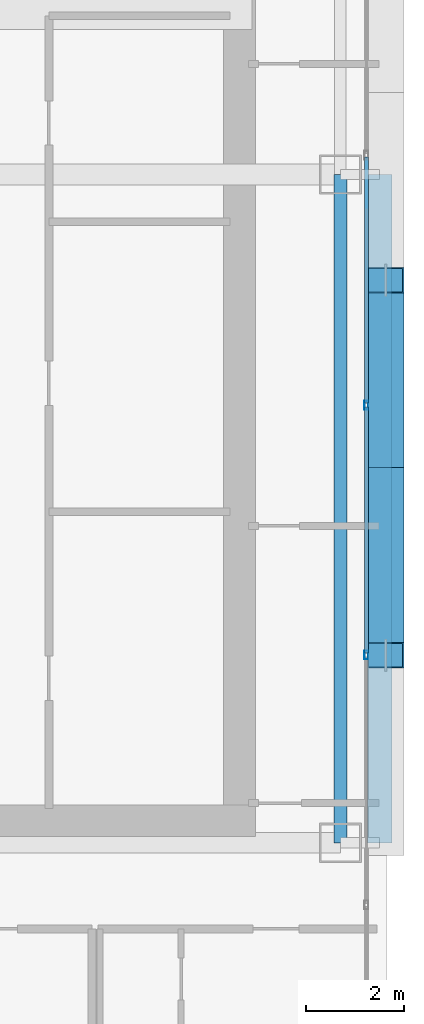
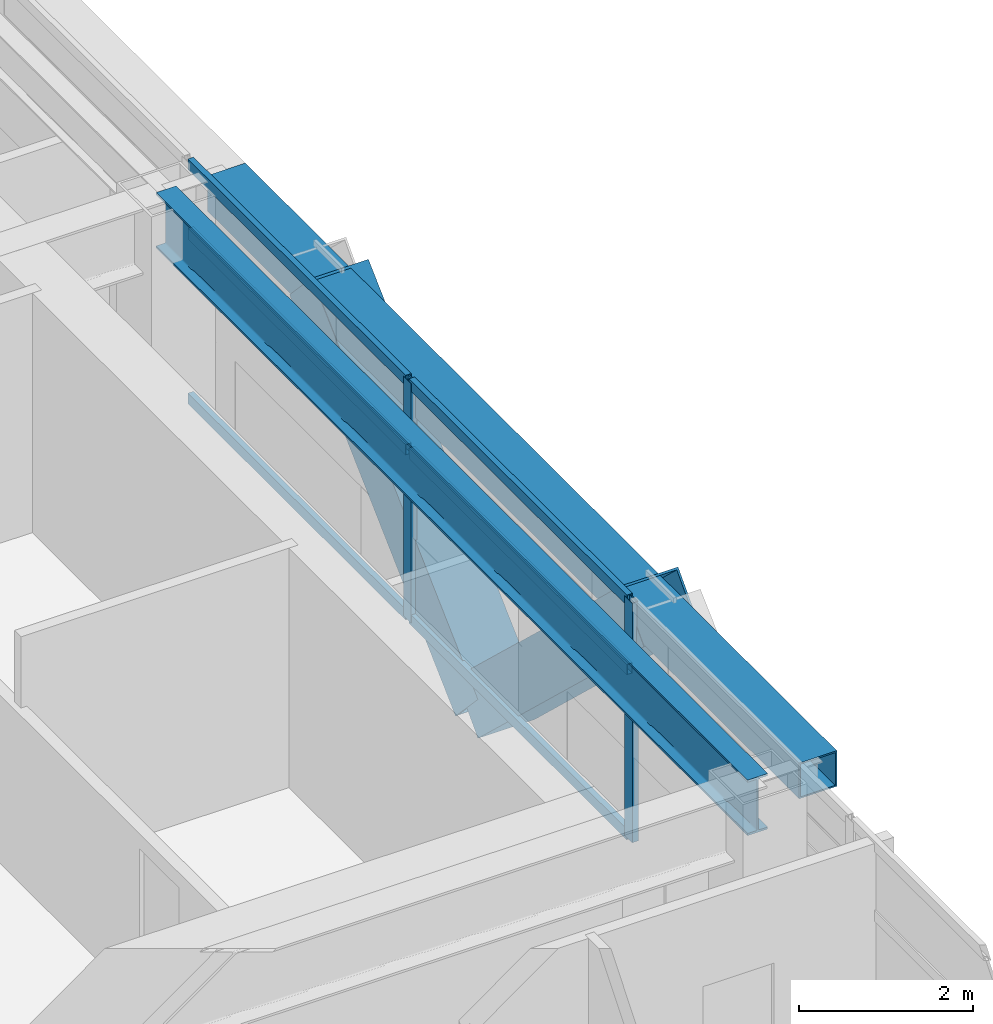
# One storey, part 13 of 35: 10 members, 2 beams, 1 element without a shape of its own.
"""IFC4 building model written with IfcOpenShell, lengths in metres."""

from ifc_helpers import new_model, si_unit, direction, frame, origin, origin_2d, place, context, subcontext, project, spatial, hollow_rectangle, i_section, extrude, source, transform, mapped, material, layer, layer_set, material_profile, profile_set, type_object, element, aggregate, save


model = new_model("IFC4")

# Units and contexts
model_context = context("Model", 3, precision=1e-05, world=origin(), true_north=direction((0.0, 1.0)))
body_context = subcontext(model_context, "Body", "Model", "MODEL_VIEW")
ifc_project = project(units=[si_unit("LENGTHUNIT", "METRE"), si_unit("AREAUNIT", "SQUARE_METRE"), si_unit("VOLUMEUNIT", "CUBIC_METRE"), si_unit("PLANEANGLEUNIT", "RADIAN"), si_unit("MASSUNIT", "GRAM", prefix="KILO")], contexts=[model_context])

# Site, building, storey
site_placement = place(None, origin())
site = spatial("IfcSite", under=ifc_project, at=site_placement, CompositionType="ELEMENT")
building_placement = place(site_placement, origin())
building = spatial("IfcBuilding", under=site, at=building_placement, Name="Ocotamira Hotel", CompositionType="ELEMENT")
storey_placement = place(building_placement, frame((0.0, 0.0, 118.800048828125)))
storey = spatial("IfcBuildingStorey", under=building, at=storey_placement, Name="L29", CompositionType="ELEMENT", Elevation=118.800048828125)

# Beams
ifc_material_1 = material(Name="Steel ASTM A992 Grade 50", Category="steel")
ifc_material_profile_1 = material_profile(ifc_material_1, i_section(OverallWidth=0.26611328125, OverallDepth=0.779052734375, WebThickness=0.0166015625, FlangeThickness=0.030029296875, FilletRadius=0.01806640625, at=origin_2d()), Name="W30X148")
ifc_profile_set_1 = profile_set([ifc_material_profile_1], Name="Steel ASTM A992 Grade 50")
beam_type_1 = type_object("IfcBeamType", Name="BM-GIRD-W30X148", PredefinedType="BEAM", material=ifc_profile_set_1)
shared_shape_1 = source(origin(), body_context, "Body", "SweptSolid", [
    extrude(i_section(OverallWidth=0.26611328125, OverallDepth=0.779052734375, WebThickness=0.0166015625, FlangeThickness=0.030029296875, FilletRadius=0.01806640625, at=origin_2d()), origin(), (0.0, 0.0, 1.0), 13.599853515625),
])
beam_1_placement = place(storey_placement, frame((55.050048828125, 14.550048828125, 2.970458984375), z_axis=(0.0, 1.0, 0.0), x_axis=(-1.0, 0.0, 0.0)))
element("IfcBeam", 1, at=beam_1_placement, inside=storey, type_object=beam_type_1, Name="L29 Beam X55.05 Y14.55-28.15", PredefinedType="BEAM", context=body_context, shape_type="MappedRepresentation", body=[
    mapped(shared_shape_1, transform((0.0, 0.0, 0.0), scale=1.0)),
])
ifc_material_2 = material(Name="Steel ASTM A500 Grade C", Category="steel")
ifc_material_profile_2 = material_profile(ifc_material_2, hollow_rectangle(XDim=0.5, YDim=0.5, WallThickness=0.02001953125, at=origin_2d()), Name="HSS500X500X20")
ifc_profile_set_2 = profile_set([ifc_material_profile_2], Name="Steel ASTM A500 Grade C")
beam_type_2 = type_object("IfcBeamType", Name="BM-SPAN-HSS500", PredefinedType="USERDEFINED", material=ifc_profile_set_2)
shared_shape_2 = source(origin(), body_context, "Body", "SweptSolid", [
    extrude(hollow_rectangle(XDim=0.5, YDim=0.5, WallThickness=0.02001953125, at=origin_2d()), origin(), (0.0, 0.0, 1.0), 13.599853515625),
])
beam_2_placement = place(storey_placement, frame((55.85009765625, 14.550048828125, 3.10986328125), z_axis=(0.0, 1.0, 0.0), x_axis=(-1.0, 0.0, 0.0)))
element("IfcBeam", 2, at=beam_2_placement, inside=storey, type_object=beam_type_2, Name="L29 Edge Spandrel E Y14.55-28.15", ObjectType="SPANDREL", PredefinedType="USERDEFINED", context=body_context, shape_type="MappedRepresentation", body=[
    mapped(shared_shape_2, transform((0.0, 0.0, 0.0), scale=1.0)),
])

# Members
ifc_material_3 = material(Name="Pale-metal coated steel ASTM A913 Grade 65", Category="steel")
ifc_material_profile_3 = material_profile(ifc_material_3, hollow_rectangle(XDim=0.75, YDim=0.75, WallThickness=0.028076171875, at=origin_2d()), Name="BOX750X750X28")
ifc_profile_set_3 = profile_set([ifc_material_profile_3], Name="Pale-metal coated steel ASTM A913 Grade 65")
member_type_1 = type_object("IfcMemberType", Name="MEM-EXO-BOX750", PredefinedType="BRACE", material=ifc_profile_set_3)
shared_shape_3 = source(origin(), body_context, "Body", "SweptSolid", [
    extrude(hollow_rectangle(XDim=0.75, YDim=0.75, WallThickness=0.028076171875, at=origin_2d()), origin(), (0.0, 0.0, 1.0), 5.24658203125),
])
for number, where, z_axis, x_axis, name in (
    (3, (55.969970703125, 22.183349609375, -0.489990234375), (0.0, -0.72746596067, 0.686143772154), (1.0, 0.0, 0.0), "L29 Exoskeleton Diagrid E0.2"),
    (4, (55.969970703125, 22.183349609375, -0.489990234375), (0.0, 0.72746596067, 0.686143772154), (-1.0, 0.0, 0.0), "L29 Exoskeleton Diagrid E1.1"),
):
    element("IfcMember", number, at=place(storey_placement, frame(where, z_axis=z_axis, x_axis=x_axis)), inside=storey, type_object=member_type_1, Name=name, PredefinedType="BRACE", context=body_context, shape_type="MappedRepresentation", body=[
        mapped(shared_shape_3, transform((0.0, 0.0, 0.0), scale=1.0)),
    ])

# Curtain wall, members
ifc_material_4 = material(Name="Anodised pale-metal aluminium and solar glass", Category="aluminium")
ifc_layer = layer(ifc_material_4, 0.179931640625)
ifc_layer_set = layer_set([ifc_layer], Name="Anodised pale-metal aluminium and solar glass")
curtain_wall_type = type_object("IfcCurtainWallType", Name="CW-SYS3-Z2", PredefinedType="NOTDEFINED", material=ifc_layer_set)
curtain_wall_placement = place(storey_placement, origin())
curtain_wall = element("IfcCurtainWall", 5, at=curtain_wall_placement, inside=storey, type_object=curtain_wall_type, Name="L29 Curtain Wall CW-3 CW-L29-E", PredefinedType="NOTDEFINED")
ifc_material_5 = material(Name="Anodised pale-metal aluminium 6063-T6", Category="aluminium")
ifc_material_profile_4 = material_profile(ifc_material_5, hollow_rectangle(XDim=0.074951171875, YDim=0.14990234375, WallThickness=0.006103515625, at=origin_2d()), Name="HSS150X75X6")
ifc_profile_set_4 = profile_set([ifc_material_profile_4], Name="Anodised pale-metal aluminium 6063-T6")
member_type_2 = type_object("IfcMemberType", Name="CWT-150X75", PredefinedType="USERDEFINED", material=ifc_profile_set_4)
shared_shape_4 = source(origin(), body_context, "Body", "SweptSolid", [
    extrude(hollow_rectangle(XDim=0.074951171875, YDim=0.14990234375, WallThickness=0.006103515625, at=origin_2d()), origin(), (0.0, 0.0, 1.0), 5.005859375),
])
member_1_placement = place(storey_placement, frame((55.580078125, 18.411376953125, 0.037353515625), z_axis=(0.0, 1.0, 0.0), x_axis=(-1.0, 0.0, 0.0)))
member_1 = element("IfcMember", 6, at=member_1_placement, type_object=member_type_2, Name="CW-3 transom 3.1", ObjectType="TRANSOM", PredefinedType="USERDEFINED", context=body_context, shape_type="MappedRepresentation", body=[
    mapped(shared_shape_4, transform((0.0, 0.0, 0.0), scale=1.0)),
])
member_2_placement = place(storey_placement, frame((55.580078125, 18.411376953125, 2.349853515625), z_axis=(0.0, 1.0, 0.0), x_axis=(-1.0, 0.0, 0.0)))
member_2 = element("IfcMember", 7, at=member_2_placement, type_object=member_type_2, Name="CW-3 transom 3.2", ObjectType="TRANSOM", PredefinedType="USERDEFINED", context=body_context, shape_type="MappedRepresentation", body=[
    mapped(shared_shape_4, transform((0.0, 0.0, 0.0), scale=1.0)),
])
member_3_placement = place(storey_placement, frame((55.580078125, 18.411376953125, 3.322509765625), z_axis=(0.0, 1.0, 0.0), x_axis=(-1.0, 0.0, 0.0)))
member_3 = element("IfcMember", 8, at=member_3_placement, type_object=member_type_2, Name="CW-3 transom 3.3", ObjectType="TRANSOM", PredefinedType="USERDEFINED", context=body_context, shape_type="MappedRepresentation", body=[
    mapped(shared_shape_4, transform((0.0, 0.0, 0.0), scale=1.0)),
])
member_4_placement = place(storey_placement, frame((55.580078125, 23.4970703125, 0.037353515625), z_axis=(0.0, 1.0, 0.0), x_axis=(-1.0, 0.0, 0.0)))
member_4 = element("IfcMember", 9, at=member_4_placement, type_object=member_type_2, Name="CW-3 transom 4.1", ObjectType="TRANSOM", PredefinedType="USERDEFINED", context=body_context, shape_type="MappedRepresentation", body=[
    mapped(shared_shape_4, transform((0.0, 0.0, 0.0), scale=1.0)),
])
member_5_placement = place(storey_placement, frame((55.580078125, 23.4970703125, 2.349853515625), z_axis=(0.0, 1.0, 0.0), x_axis=(-1.0, 0.0, 0.0)))
member_5 = element("IfcMember", 10, at=member_5_placement, type_object=member_type_2, Name="CW-3 transom 4.2", ObjectType="TRANSOM", PredefinedType="USERDEFINED", context=body_context, shape_type="MappedRepresentation", body=[
    mapped(shared_shape_4, transform((0.0, 0.0, 0.0), scale=1.0)),
])
member_6_placement = place(storey_placement, frame((55.580078125, 23.4970703125, 3.322509765625), z_axis=(0.0, 1.0, 0.0), x_axis=(-1.0, 0.0, 0.0)))
member_6 = element("IfcMember", 11, at=member_6_placement, type_object=member_type_2, Name="CW-3 transom 4.3", ObjectType="TRANSOM", PredefinedType="USERDEFINED", context=body_context, shape_type="MappedRepresentation", body=[
    mapped(shared_shape_4, transform((0.0, 0.0, 0.0), scale=1.0)),
])
ifc_material_profile_5 = material_profile(ifc_material_5, hollow_rectangle(XDim=0.080078125, YDim=0.179931640625, WallThickness=0.006103515625, at=origin_2d()), Name="HSS180X80X6")
ifc_profile_set_5 = profile_set([ifc_material_profile_5], Name="Anodised pale-metal aluminium 6063-T6")
member_type_3 = type_object("IfcMemberType", Name="CWM-180X75", PredefinedType="MULLION", material=ifc_profile_set_5)
shared_shape_5 = source(origin(), body_context, "Body", "SweptSolid", [
    extrude(hollow_rectangle(XDim=0.080078125, YDim=0.179931640625, WallThickness=0.006103515625, at=origin_2d()), origin(), (0.0, 0.0, 1.0), 3.35986328125),
])
member_7_placement = place(storey_placement, frame((55.580078125, 18.371337890625, 0.0), z_axis=(0.0, 0.0, 1.0), x_axis=(-1.0, 0.0, 0.0)))
member_7 = element("IfcMember", 12, at=member_7_placement, type_object=member_type_3, Name="CW-3 mullion 3", PredefinedType="MULLION", context=body_context, shape_type="MappedRepresentation", body=[
    mapped(shared_shape_5, transform((0.0, 0.0, 0.0), scale=1.0)),
])
member_8_placement = place(storey_placement, frame((55.580078125, 23.45703125, 0.0), z_axis=(0.0, 0.0, 1.0), x_axis=(-1.0, 0.0, 0.0)))
member_8 = element("IfcMember", 13, at=member_8_placement, type_object=member_type_3, Name="CW-3 mullion 4", PredefinedType="MULLION", context=body_context, shape_type="MappedRepresentation", body=[
    mapped(shared_shape_5, transform((0.0, 0.0, 0.0), scale=1.0)),
])
aggregate(curtain_wall, [member_7, member_8, member_1, member_2, member_3, member_4, member_5, member_6])

save(model, "model.ifc")
